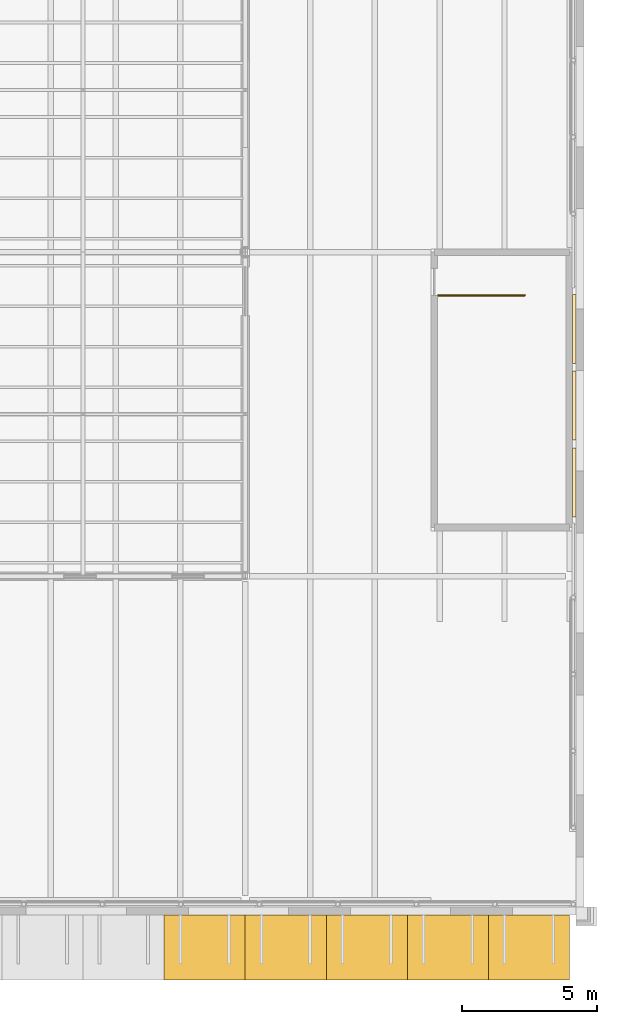
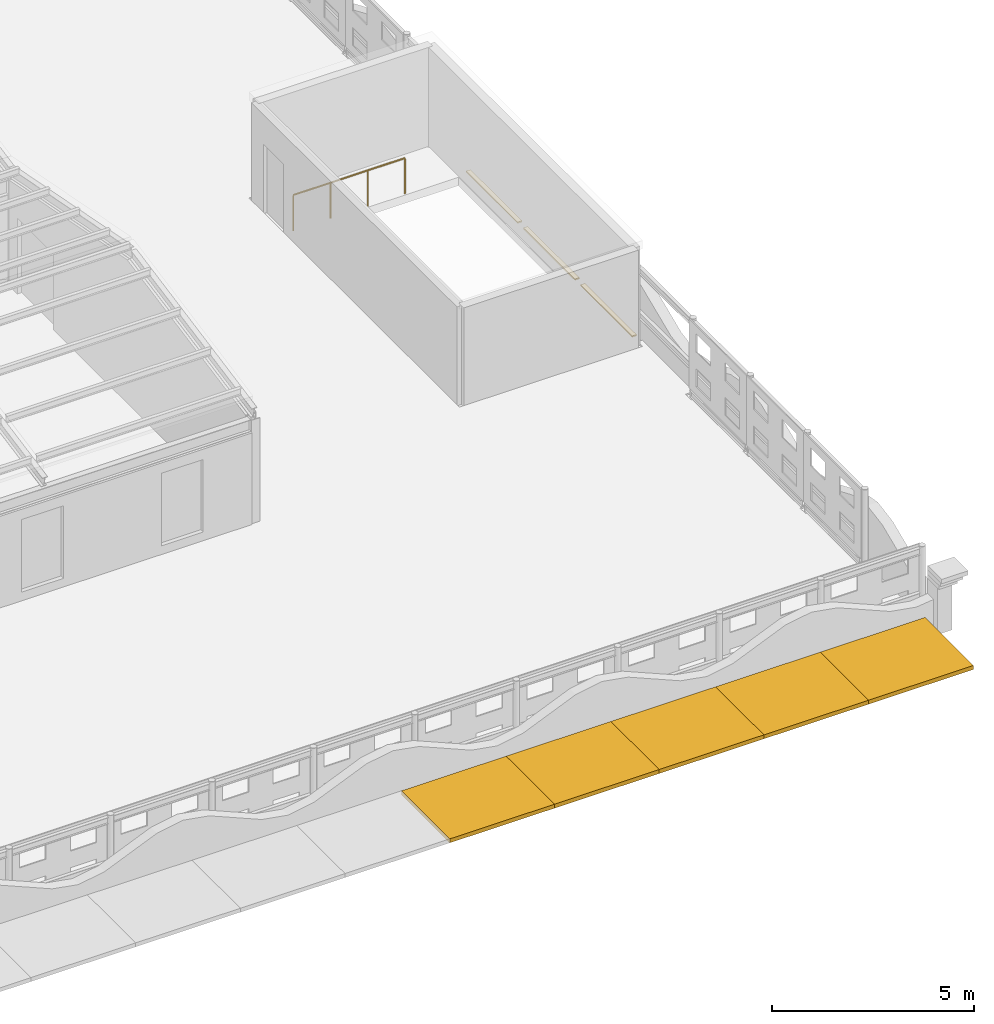
# One storey, part 91 of 91: 5 shading devices, 3 coverings, 1 railing.
"""IFC4 building model written with IfcOpenShell, lengths in metres."""

from ifc_helpers import new_model, si_unit, direction, frame, origin, origin_2d, place, context, subcontext, project, spatial, polyline, rectangle, circle, outline, extrude, material, layer, layer_set, type_object, element, save


model = new_model("IFC4")

# Units and contexts
model_context = context("Model", 3, precision=1e-05, world=origin(), true_north=direction((0.0, 1.0)))
body_context = subcontext(model_context, "Body", "Model", "MODEL_VIEW")
ifc_project = project(units=[si_unit("LENGTHUNIT", "METRE"), si_unit("AREAUNIT", "SQUARE_METRE"), si_unit("VOLUMEUNIT", "CUBIC_METRE"), si_unit("PLANEANGLEUNIT", "RADIAN"), si_unit("MASSUNIT", "GRAM", prefix="KILO")], contexts=[model_context])

# Site, building, storey
site_placement = place(None, origin())
site = spatial("IfcSite", under=ifc_project, at=site_placement, CompositionType="ELEMENT")
building_placement = place(site_placement, origin())
building = spatial("IfcBuilding", under=site, at=building_placement, Name="Ravi Spectrum Wholesale Market", CompositionType="ELEMENT")
storey_placement = place(building_placement, frame((0.0, 0.0, 16.199951171875)))
storey = spatial("IfcBuildingStorey", under=building, at=storey_placement, Name="ROOF PLANT LEVEL", CompositionType="ELEMENT", Elevation=16.199951171875)

# Railing
ifc_material_1 = material(Name="Steel S355", Category="steel")
railing_type = type_object("IfcRailingType", Name="Guard 1100", PredefinedType="GUARDRAIL", material=ifc_material_1)
railing_placement = place(storey_placement, frame((277.14990234375, 40.39990234375, 0.0)))
element("IfcRailing", 1, at=railing_placement, inside=storey, type_object=railing_type, Name="ROOF PLANT LEVEL S-CS-2 top well guard 1", PredefinedType="GUARDRAIL", context=body_context, shape_type="SweptSolid", body=[
    extrude(circle(Radius=0.02392578125, at=origin_2d()), frame((0.0, 0.0, 1.076171875), z_axis=(1.0, 0.0, 0.0), x_axis=(0.0, 1.0, 0.0)), (0.0, 0.0, 1.0), 3.2001953125),
    extrude(circle(Radius=0.02099609375, at=origin_2d()), origin(), (0.0, 0.0, 1.0), 1.052001953125),
    extrude(circle(Radius=0.02099609375, at=origin_2d()), frame((1.066650390625, 0.0, 0.0)), (0.0, 0.0, 1.0), 1.052001953125),
    extrude(circle(Radius=0.02099609375, at=origin_2d()), frame((2.133544921875, 0.0, 0.0)), (0.0, 0.0, 1.0), 1.052001953125),
    extrude(circle(Radius=0.02099609375, at=origin_2d()), frame((3.2001953125, 0.0, 0.0)), (0.0, 0.0, 1.0), 1.052001953125),
])

# Shading devices
ifc_material_2 = material(Name="Powder-coated aluminium louvres", Category="aluminium")
ifc_layer_1 = layer(ifc_material_2, 0.1201171875)
ifc_layer_set_1 = layer_set([ifc_layer_1], Name="Powder-coated aluminium louvres")
shading_device_type = type_object("IfcShadingDeviceType", Name="Louvred sunshade canopy 3000 x 2400 x 120", PredefinedType="USERDEFINED", material=ifc_layer_set_1)
for number, where, z_axis, x_axis, name in (
    (2, (268.5, 16.25, 0.3798828125), (0.0, 0.0, 1.0), (1.0, 0.0, 0.0), "Louvred sunshade canopy"),
    (3, (271.5, 16.25, 0.3798828125), (0.0, 0.0, 1.0), (1.0, 0.0, 0.0), "Louvred sunshade canopy"),
    (4, (274.5, 16.25, 0.3798828125), (0.0, 0.0, 1.0), (1.0, 0.0, 0.0), "Louvred sunshade canopy"),
    (5, (277.5, 16.25, 0.3798828125), (0.0, 0.0, 1.0), (1.0, 0.0, 0.0), "Louvred sunshade canopy"),
    (6, (280.5, 16.25, 0.3798828125), (0.0, 0.0, 1.0), (1.0, 0.0, 0.0), "Louvred sunshade canopy"),
):
    element("IfcShadingDevice", number, at=place(storey_placement, frame(where, z_axis=z_axis, x_axis=x_axis)), inside=storey, type_object=shading_device_type, Name=name, ObjectType="SUNSHADE", PredefinedType="USERDEFINED", context=body_context, shape_type="SweptSolid", body=[
        extrude(rectangle(XDim=3.0, YDim=2.39990234375, at=origin_2d()), origin(), (0.0, 0.0, 1.0), 0.1201171875),
    ])

# Coverings
ifc_material_3 = material(Name="Bituminous membrane")
ifc_layer_2 = layer(ifc_material_3, 0.0400390625)
ifc_layer_set_2 = layer_set([ifc_layer_2], Name="Bituminous membrane")
covering_type = type_object("IfcCoveringType", Name="Roof membrane 40", PredefinedType="ROOFING", material=ifc_layer_set_2)
covering_1_placement = place(storey_placement, origin())
element("IfcCovering", 7, at=covering_1_placement, inside=storey, type_object=covering_type, Name="Roof covering", PredefinedType="ROOFING", context=body_context, shape_type="SweptSolid", body=[
    extrude(outline(polyline([(282.25, 40.439453125), (282.25, 37.878173828125), (282.125, 37.878173828125), (282.125, 40.439453125), (282.25, 40.439453125)])), origin(), (0.0, 0.0, 1.0), 0.0400390625),
])
covering_2_placement = place(storey_placement, origin())
element("IfcCovering", 8, at=covering_2_placement, inside=storey, type_object=covering_type, Name="Roof covering", PredefinedType="ROOFING", context=body_context, shape_type="SweptSolid", body=[
    extrude(outline(polyline([(282.25, 37.59814453125), (282.25, 35.037109375), (282.125, 35.037109375), (282.125, 37.59814453125), (282.25, 37.59814453125)])), origin(), (0.0, 0.0, 1.0), 0.0400390625),
])
covering_3_placement = place(storey_placement, origin())
element("IfcCovering", 9, at=covering_3_placement, inside=storey, type_object=covering_type, Name="Roof covering", PredefinedType="ROOFING", context=body_context, shape_type="SweptSolid", body=[
    extrude(outline(polyline([(282.25, 34.757080078125), (282.25, 32.19580078125), (282.125, 32.19580078125), (282.125, 34.757080078125), (282.25, 34.757080078125)])), origin(), (0.0, 0.0, 1.0), 0.0400390625),
])

save(model, "model.ifc")
